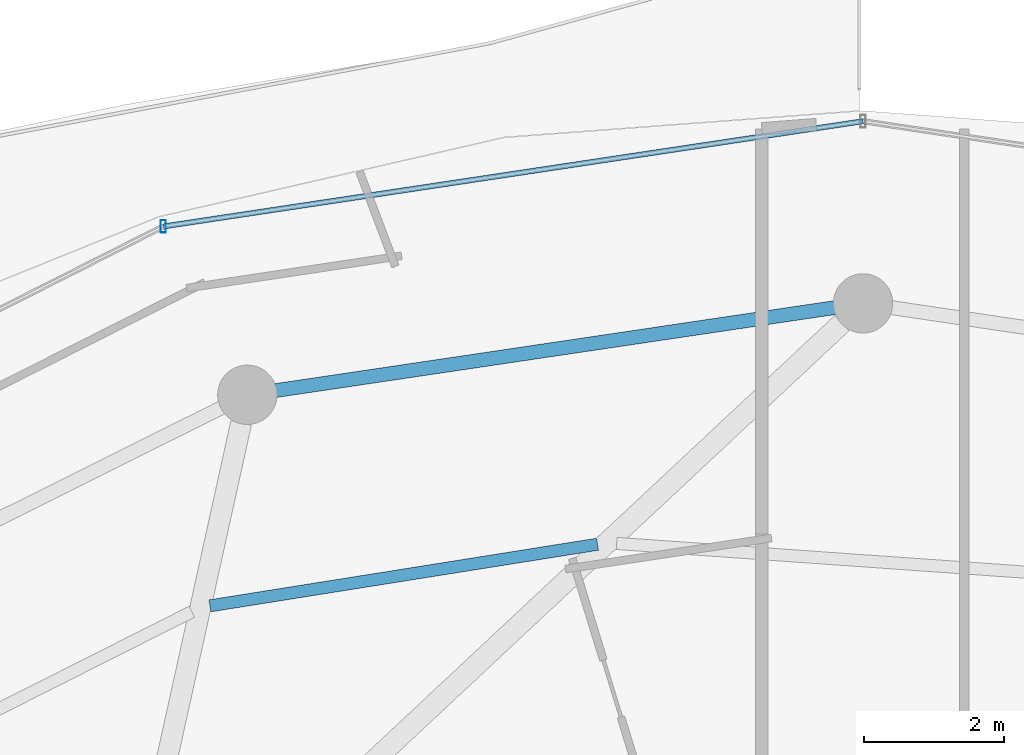
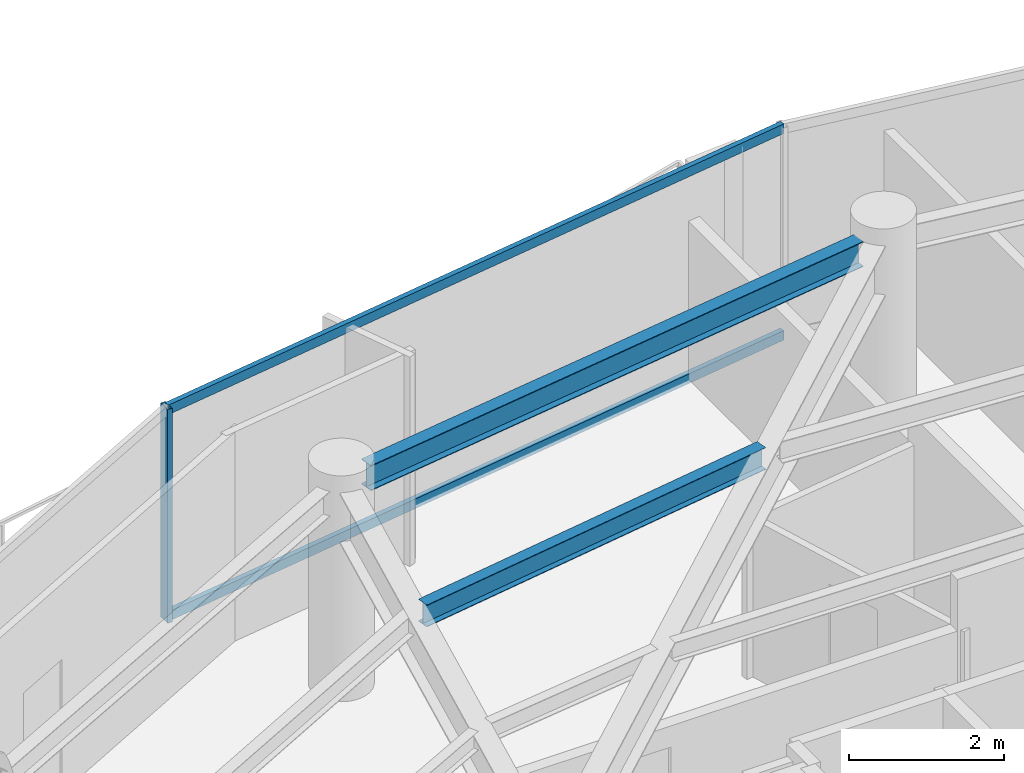
# One storey, part 17 of 30: 3 members, 2 beams, 1 element without a shape of its own.
"""IFC4 building model written with IfcOpenShell, lengths in metres."""

from ifc_helpers import new_model, si_unit, direction, frame, origin, origin_2d, place, context, subcontext, project, spatial, hollow_rectangle, i_section, extrude, material, material_profile, profile_set, type_object, element, aggregate, save


model = new_model("IFC4")

# Units and contexts
model_context = context("Model", 3, precision=1e-05, world=origin(), true_north=direction((0.0, 1.0)))
body_context = subcontext(model_context, "Body", "Model", "MODEL_VIEW")
ifc_project = project(units=[si_unit("LENGTHUNIT", "METRE"), si_unit("AREAUNIT", "SQUARE_METRE"), si_unit("VOLUMEUNIT", "CUBIC_METRE"), si_unit("PLANEANGLEUNIT", "RADIAN"), si_unit("MASSUNIT", "GRAM", prefix="KILO")], contexts=[model_context])

# Site, building, storey
site_placement = place(None, origin())
site = spatial("IfcSite", under=ifc_project, at=site_placement, CompositionType="ELEMENT")
building_placement = place(site_placement, origin())
building = spatial("IfcBuilding", under=site, at=building_placement, Name="Vorneva Point Tower", CompositionType="ELEMENT")
storey_placement = place(building_placement, frame((0.0, 0.0, 234.25)))
storey = spatial("IfcBuildingStorey", under=building, at=storey_placement, Name="L63", CompositionType="ELEMENT", Elevation=234.25)

# Beams
ifc_material_1 = material(Name="Steel S355", Category="steel")
ifc_material_profile_1 = material_profile(ifc_material_1, i_section(OverallWidth=0.174072265625, OverallDepth=0.345947265625, WebThickness=0.006103515625, FlangeThickness=0.009033203125, at=origin_2d()), Name="35B1")
ifc_profile_set_1 = profile_set([ifc_material_profile_1], Name="Steel S355")
beam_type_1 = type_object("IfcBeamType", Name="BM-SEC-35B1", PredefinedType="BEAM", material=ifc_profile_set_1)
beam_1_placement = place(storey_placement, frame((34.196044921875, 39.74951171875, 3.116943359375), z_axis=(-0.987609689716, -0.156930241762, 0.0), x_axis=(0.156930241762, -0.987609689716, 0.0)))
element("IfcBeam", 1, at=beam_1_placement, inside=storey, type_object=beam_type_1, Name="L63 Secondary Floor Beam 1.05", PredefinedType="BEAM", context=body_context, shape_type="SweptSolid", body=[
    extrude(i_section(OverallWidth=0.174072265625, OverallDepth=0.345947265625, WebThickness=0.006103515625, FlangeThickness=0.009033203125, at=origin_2d()), origin(), (0.0, 0.0, 1.0), 5.622314453125),
])
ifc_material_profile_2 = material_profile(ifc_material_1, i_section(OverallWidth=0.198974609375, OverallDepth=0.39599609375, WebThickness=0.007080078125, FlangeThickness=0.010986328125, at=origin_2d()), Name="40B1")
ifc_profile_set_2 = profile_set([ifc_material_profile_2], Name="Steel S355")
beam_type_2 = type_object("IfcBeamType", Name="BM-SPN-40B1", PredefinedType="SPANDREL", material=ifc_profile_set_2)
beam_2_placement = place(storey_placement, frame((37.594482421875, 43.139892578125, 3.092041015625), z_axis=(-0.989161657331, -0.146830567886, 0.0), x_axis=(0.146830567886, -0.989161657331, 0.0)))
element("IfcBeam", 2, at=beam_2_placement, inside=storey, type_object=beam_type_2, Name="L63 Perimeter Spandrel Ring Beam 05", PredefinedType="SPANDREL", context=body_context, shape_type="SweptSolid", body=[
    extrude(i_section(OverallWidth=0.198974609375, OverallDepth=0.39599609375, WebThickness=0.007080078125, FlangeThickness=0.010986328125, at=origin_2d()), origin(), (0.0, 0.0, 1.0), 8.097412109375),
])

# Curtain wall, members
ifc_material_2 = material(Name="Pale anodised aluminium", Category="aluminium")
curtain_wall_type = type_object("IfcCurtainWallType", Name="CW-RES-SYS", PredefinedType="NOTDEFINED", material=ifc_material_2)
curtain_wall_placement = place(storey_placement, origin())
curtain_wall = element("IfcCurtainWall", 3, at=curtain_wall_placement, inside=storey, type_object=curtain_wall_type, Name="L63 Unitised Curtain Wall CW-L63-R02", PredefinedType="NOTDEFINED")
ifc_material_profile_3 = material_profile(ifc_material_2, hollow_rectangle(XDim=0.074951171875, YDim=0.179931640625, WallThickness=0.00390625, at=origin_2d()), Name="AL-MUL 180x75x4")
ifc_profile_set_3 = profile_set([ifc_material_profile_3], Name="Pale anodised aluminium")
member_type_1 = type_object("IfcMemberType", Name="CW-MUL-180", PredefinedType="MULLION", material=ifc_profile_set_3)
member_1_placement = place(storey_placement, frame((27.9736328125, 44.302001953125, -0.0400390625), z_axis=(0.0, 0.0, 1.0), x_axis=(1.0, 0.0, 0.0)))
member_1 = element("IfcMember", 4, at=member_1_placement, type_object=member_type_1, Name="CW-L63-R02 Mullion 04", PredefinedType="MULLION", context=body_context, shape_type="SweptSolid", body=[
    extrude(hollow_rectangle(XDim=0.074951171875, YDim=0.179931640625, WallThickness=0.00390625, at=origin_2d()), origin(), (0.0, 0.0, 1.0), 3.360107421875),
])
ifc_material_profile_4 = material_profile(ifc_material_2, hollow_rectangle(XDim=0.074951171875, YDim=0.14990234375, WallThickness=0.00390625, at=origin_2d()), Name="AL-TRN 150x75x4")
ifc_profile_set_4 = profile_set([ifc_material_profile_4], Name="Pale anodised aluminium")
member_type_2 = type_object("IfcMemberType", Name="CW-TRN-150", PredefinedType="USERDEFINED", material=ifc_profile_set_4)
member_2_placement = place(storey_placement, frame((38.0, 45.81005859375, 0.02001953125), z_axis=(-0.988876929856, -0.148736066907, 0.0), x_axis=(0.148736066907, -0.988876929856, 0.0)))
member_2 = element("IfcMember", 5, at=member_2_placement, type_object=member_type_2, Name="CW-L63-R02 Transom 03.1", ObjectType="TRANSOM", PredefinedType="USERDEFINED", context=body_context, shape_type="SweptSolid", body=[
    extrude(hollow_rectangle(XDim=0.074951171875, YDim=0.14990234375, WallThickness=0.00390625, at=origin_2d()), origin(), (0.0, 0.0, 1.0), 10.13916015625),
])
member_3_placement = place(storey_placement, frame((38.0, 45.81005859375, 3.27001953125), z_axis=(-0.988876929856, -0.148736066907, 0.0), x_axis=(0.148736066907, -0.988876929856, 0.0)))
member_3 = element("IfcMember", 6, at=member_3_placement, type_object=member_type_2, Name="CW-L63-R02 Transom 03.2", ObjectType="TRANSOM", PredefinedType="USERDEFINED", context=body_context, shape_type="SweptSolid", body=[
    extrude(hollow_rectangle(XDim=0.074951171875, YDim=0.14990234375, WallThickness=0.00390625, at=origin_2d()), origin(), (0.0, 0.0, 1.0), 10.13916015625),
])
aggregate(curtain_wall, [member_1, member_2, member_3])

save(model, "model.ifc")
